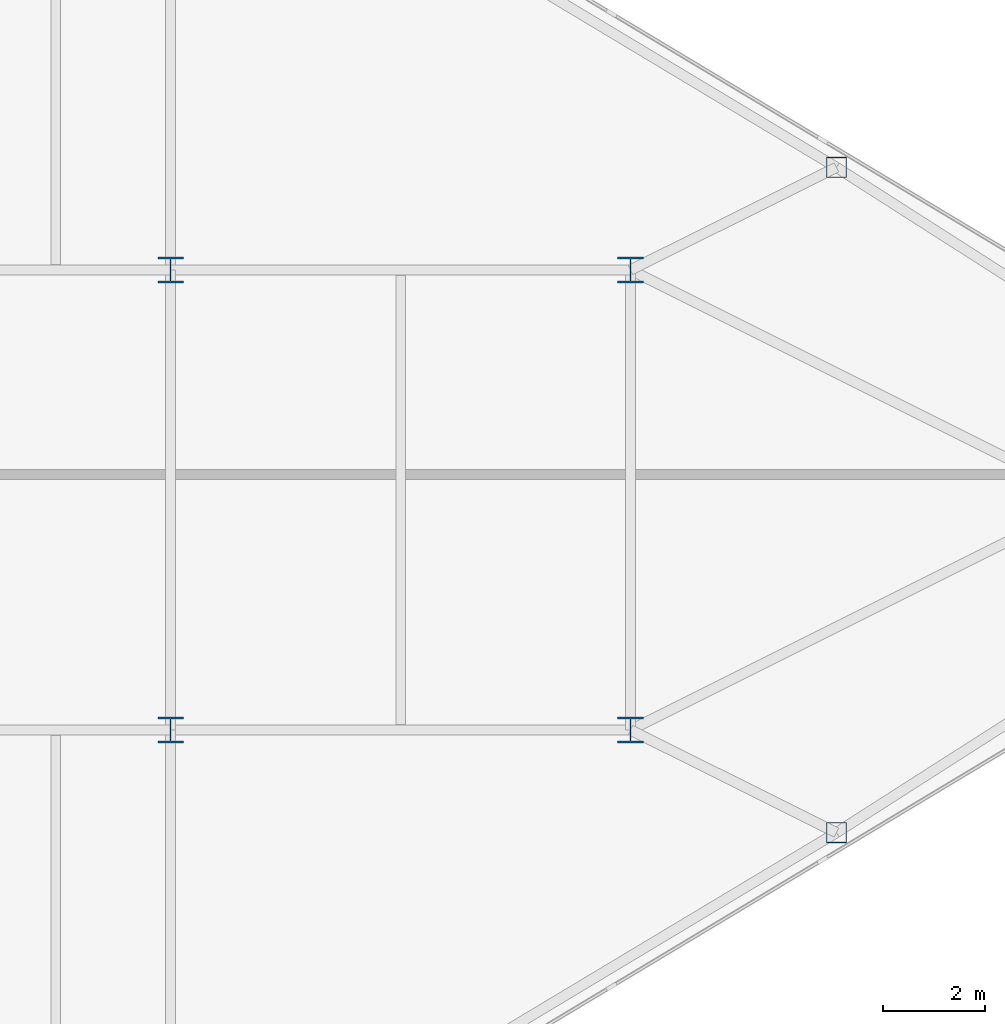
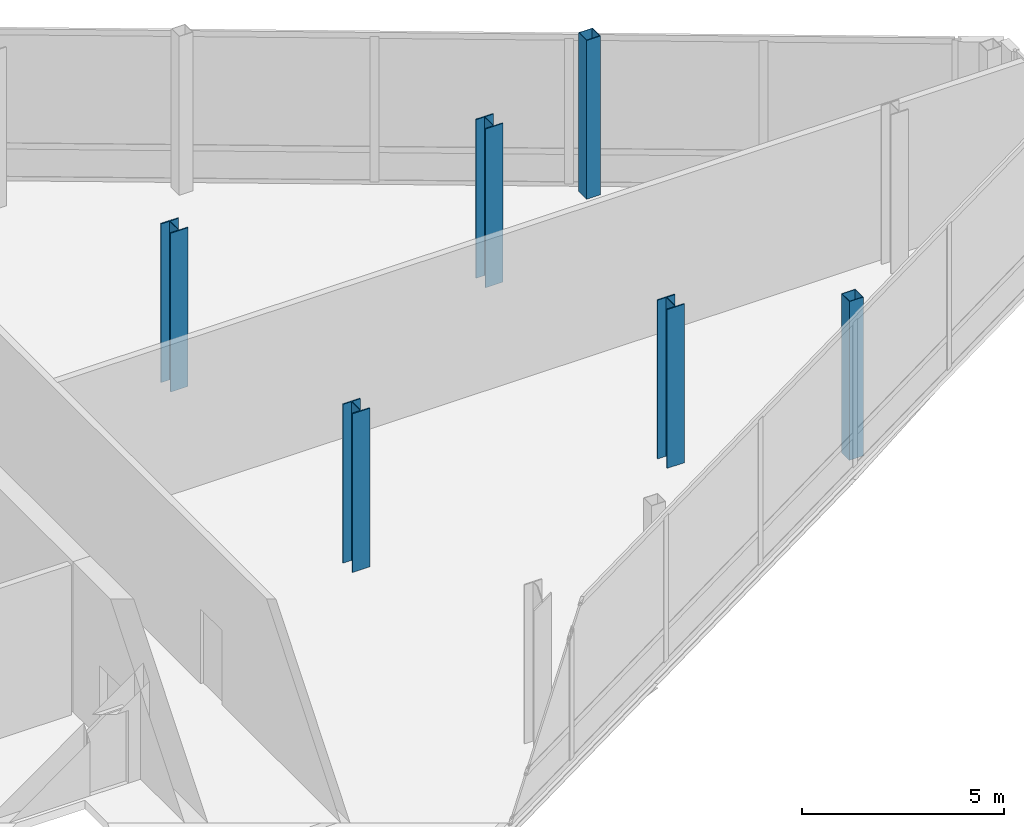
# One storey, part 5 of 29: 6 columns.
"""IFC4 building model written with IfcOpenShell, lengths in metres."""

import ifcopenshell
import ifcopenshell.guid

model = None  # the IFC model being written
_history = None  # IfcOwnerHistory: only IFC2X3 demands one
_inside = {}  # id of a spatial element -> (the spatial element, [elements in it])
_under = {}  # id of a project, library or spatial element -> (it, [spatial elements below it])
_declared = {}  # id of a project -> (the project, [libraries it declares])
_typed = {}  # id of a type object -> (the type object, [elements of that type])
_made_of = {}  # id of a material, layer set ... -> (it, [elements and type objects made of it])


def new_model(schema):
    """Start an empty IFC model of exactly this schema.

    Asked for "IFC4X3", IfcOpenShell would pick the latest addendum, in which some entities
    have other attributes; the version numbers below select the first issue.
    IFC2X3 requires an IfcOwnerHistory on every rooted entity: one is made here for all.
    """
    global model, _history
    if schema == "IFC4X3":
        model = ifcopenshell.file(schema_version=(4, 3, 0, 0))
    else:
        model = ifcopenshell.file(schema=schema)
    _inside.clear()
    _under.clear()
    _declared.clear()
    _typed.clear()
    _made_of.clear()
    _history = None
    if model.schema == "IFC2X3":
        org = make("IfcOrganization", Name="unknown")
        user = make(
            "IfcPersonAndOrganization",
            ThePerson=make("IfcPerson", FamilyName="unknown"),
            TheOrganization=org,
        )
        app = make(
            "IfcApplication",
            ApplicationDeveloper=org,
            Version="unknown",
            ApplicationFullName="unknown",
            ApplicationIdentifier="unknown",
        )
        _history = make(
            "IfcOwnerHistory",
            OwningUser=user,
            OwningApplication=app,
            ChangeAction="ADDED",
            CreationDate=0,
        )
    return model


def make(cls, **values):
    """One entity of the class cls with the attributes given. An attribute that is None is left unset."""
    return model.create_entity(
        cls, **{name: value for name, value in values.items() if value is not None}
    )


def rooted(cls, **values):
    """An entity with a GlobalId (a new one), such as an element, a storey or a relation."""
    return make(cls, GlobalId=ifcopenshell.guid.new(), OwnerHistory=_history, **values)


def si_unit(unit_type, name, prefix=None):
    """IfcSIUnit, for example si_unit("LENGTHUNIT", "METRE", prefix="MILLI")."""
    return make("IfcSIUnit", UnitType=unit_type, Prefix=prefix, Name=name)


def assignment(units):
    """IfcUnitAssignment: the units of a project."""
    return None if units is None else make("IfcUnitAssignment", Units=units)


def point(xyz):
    """IfcCartesianPoint."""
    return None if xyz is None else make("IfcCartesianPoint", Coordinates=xyz)


def direction(xyz):
    """IfcDirection."""
    return None if xyz is None else make("IfcDirection", DirectionRatios=xyz)


def frame(location, z_axis=None, x_axis=None):
    """IfcAxis2Placement3D, a coordinate frame: its origin and axes. An axis left out is left unset."""
    return make(
        "IfcAxis2Placement3D",
        Location=point(location),
        Axis=direction(z_axis),
        RefDirection=direction(x_axis),
    )


def frame_2d(location, x_axis=None):
    """IfcAxis2Placement2D, a coordinate frame in the plane: its origin and x axis."""
    return make(
        "IfcAxis2Placement2D", Location=point(location), RefDirection=direction(x_axis)
    )


def origin():
    """The frame at (0, 0, 0) with its axes left unset."""
    return frame((0.0, 0.0, 0.0))


def origin_2d():
    """The frame at (0, 0) in the plane with its x axis left unset."""
    return frame_2d((0.0, 0.0))


def place(relative_to, where):
    """IfcLocalPlacement: puts the frame where relative to a parent placement (None: the world)."""
    return make(
        "IfcLocalPlacement", PlacementRelTo=relative_to, RelativePlacement=where
    )


def context(
    kind, dimensions, precision=None, world=None, true_north=None, identifier=None
):
    """IfcGeometricRepresentationContext, for example the 3D "Model" context."""
    return make(
        "IfcGeometricRepresentationContext",
        ContextIdentifier=identifier,
        ContextType=kind,
        CoordinateSpaceDimension=dimensions,
        Precision=precision,
        WorldCoordinateSystem=world,
        TrueNorth=true_north,
    )


def subcontext(parent, identifier, kind, view, scale=None):
    """IfcGeometricRepresentationSubContext, for example "Body" below "Model"."""
    return make(
        "IfcGeometricRepresentationSubContext",
        ContextIdentifier=identifier,
        ContextType=kind,
        ParentContext=parent,
        TargetScale=scale,
        TargetView=view,
    )


def project(units=None, contexts=None):
    """IfcProject with its units and contexts."""
    return rooted(
        "IfcProject",
        Name="project",
        RepresentationContexts=contexts,
        UnitsInContext=assignment(units),
    )


def spatial(cls, under=None, at=None, **own):
    """A site, building, storey or space (cls), placed at a placement, below another one or the project."""
    s = rooted(cls, ObjectPlacement=at, **own)
    if under is not None:
        _under.setdefault(under.id(), (under, []))[1].append(s)
    return s


def profile(cls, at=None, kind="AREA", **sizes):
    """A parametric profile (cls). Its sizes go by their IFC names, for example OverallWidth=200.0."""
    return make(cls, ProfileType=kind, Position=at, **sizes)


def hollow_rectangle(**sizes):
    """IfcRectangleHollowProfileDef."""
    return profile("IfcRectangleHollowProfileDef", **sizes)


def i_section(**sizes):
    """IfcIShapeProfileDef."""
    return profile("IfcIShapeProfileDef", **sizes)


def extrude(swept, where, along, depth):
    """IfcExtrudedAreaSolid: the profile swept, set in the frame where, extruded along a direction by depth."""
    return make(
        "IfcExtrudedAreaSolid",
        SweptArea=swept,
        Position=where,
        ExtrudedDirection=direction(along),
        Depth=depth,
    )


def shape(context_of_items, identifier, shape_type, items):
    """IfcShapeRepresentation: the items that make up one representation, for example the "Body"."""
    return make(
        "IfcShapeRepresentation",
        ContextOfItems=context_of_items,
        RepresentationIdentifier=identifier,
        RepresentationType=shape_type,
        Items=items,
    )


def source(mapping_origin, context_of_items, identifier, shape_type, items):
    """IfcRepresentationMap: a shape defined once, which mapped items show again and again."""
    return make(
        "IfcRepresentationMap",
        MappingOrigin=mapping_origin,
        MappedRepresentation=shape(context_of_items, identifier, shape_type, items),
    )


def transform(
    local_origin,
    x_axis=None,
    y_axis=None,
    z_axis=None,
    scale=None,
    scale2=None,
    scale3=None,
    uniform=True,
):
    """IfcCartesianTransformationOperator3D, or its non-uniform kind. x_axis, y_axis, z_axis: its Axis1, 2, 3."""
    if uniform:
        return make(
            "IfcCartesianTransformationOperator3D",
            Axis1=direction(x_axis),
            Axis2=direction(y_axis),
            LocalOrigin=point(local_origin),
            Scale=scale,
            Axis3=direction(z_axis),
        )
    return make(
        "IfcCartesianTransformationOperator3DnonUniform",
        Axis1=direction(x_axis),
        Axis2=direction(y_axis),
        LocalOrigin=point(local_origin),
        Scale=scale,
        Axis3=direction(z_axis),
        Scale2=scale2,
        Scale3=scale3,
    )


def mapped(mapping_source, mapping_target):
    """IfcMappedItem: shows the shape of a source again, moved by a transform."""
    return make(
        "IfcMappedItem", MappingSource=mapping_source, MappingTarget=mapping_target
    )


def material(Name=None, Category=None):
    """IfcMaterial."""
    return make("IfcMaterial", Name=Name, Category=Category)


def material_profile(
    of_material, cross_section, Name=None, Category=None, Priority=None
):
    """IfcMaterialProfile: a cross section and its material."""
    return make(
        "IfcMaterialProfile",
        Name=Name,
        Material=of_material,
        Profile=cross_section,
        Priority=Priority,
        Category=Category,
    )


def profile_set(profiles, Name=None, composite=None):
    """IfcMaterialProfileSet."""
    return make(
        "IfcMaterialProfileSet",
        Name=Name,
        MaterialProfiles=profiles,
        CompositeProfile=composite,
    )


def made_of(thing, what):
    """Note that an element or type object is made of a material, layer set ...; save() writes the relation."""
    if what is not None:
        _made_of.setdefault(what.id(), (what, []))[1].append(thing)
    return thing


def type_object(cls, material=None, **own):
    """A type object (cls), such as IfcWallType, which elements share."""
    return made_of(rooted(cls, **own), material)


def type_shapes(of_type, sources):
    """Give a type object the sources (RepresentationMaps) that its elements show as mapped items."""
    of_type.RepresentationMaps = sources


def element(
    cls,
    number,
    at=None,
    inside=None,
    cuts=None,
    type_object=None,
    material=None,
    context=None,
    identifier="Body",
    shape_type=None,
    held_by="IfcProductDefinitionShape",
    body=None,
    shapes=None,
    **own,
):
    """One element of the class cls, such as IfcWall. Its Tag is "e" and its number.

    at: its placement. inside: the storey or other place that contains it. cuts: it is an
    opening in that element (IfcRelVoidsElement). A single representation is given by context,
    identifier, shape_type and body (its items); several are given by shapes. held_by: the class
    of the entity that holds the representations. save() writes the other relations.
    """
    e = rooted(cls, Tag="e%d" % number, ObjectPlacement=at, **own)
    if body is not None:
        shapes = [shape(context, identifier, shape_type, body)]
    if shapes is not None:
        e.Representation = make(held_by, Representations=shapes)
    if inside is not None:
        _inside.setdefault(inside.id(), (inside, []))[1].append(e)
    if cuts is not None:
        rooted(
            "IfcRelVoidsElement", RelatingBuildingElement=cuts, RelatedOpeningElement=e
        )
    if type_object is not None:
        _typed.setdefault(type_object.id(), (type_object, []))[1].append(e)
    return made_of(e, material)


def aggregate(whole, parts):
    """IfcRelAggregates: a whole, such as a stair, and the parts it consists of."""
    return rooted("IfcRelAggregates", RelatingObject=whole, RelatedObjects=parts)


def save(model, path):
    """Write the relations noted so far, then the file.

    IfcRelAggregates (storeys below a building ...), IfcRelContainedInSpatialStructure (elements
    in a storey), IfcRelDefinesByType, IfcRelAssociatesMaterial and IfcRelDeclares: one each for
    every whole, place, type object, material and project.
    """
    for whole, parts in _under.values():
        aggregate(whole, parts)
    for where, things in _inside.values():
        rooted(
            "IfcRelContainedInSpatialStructure",
            RelatedElements=things,
            RelatingStructure=where,
        )
    for kind, things in _typed.values():
        rooted("IfcRelDefinesByType", RelatedObjects=things, RelatingType=kind)
    for what, things in _made_of.values():
        rooted("IfcRelAssociatesMaterial", RelatedObjects=things, RelatingMaterial=what)
    for by, libraries in _declared.values():
        rooted("IfcRelDeclares", RelatingContext=by, RelatedDefinitions=libraries)
    model.write(path)


model = new_model("IFC4")

# Units and contexts
model_context = context("Model", 3, precision=1e-05, world=origin(), true_north=direction((0.0, 1.0)))
body_context = subcontext(model_context, "Body", "Model", "MODEL_VIEW")
ifc_project = project(units=[si_unit("LENGTHUNIT", "METRE"), si_unit("AREAUNIT", "SQUARE_METRE"), si_unit("VOLUMEUNIT", "CUBIC_METRE"), si_unit("PLANEANGLEUNIT", "RADIAN"), si_unit("MASSUNIT", "GRAM", prefix="KILO")], contexts=[model_context])

# Site, building, storey
site_placement = place(None, origin())
site = spatial("IfcSite", under=ifc_project, at=site_placement, CompositionType="ELEMENT")
building_placement = place(site_placement, origin())
building = spatial("IfcBuilding", under=site, at=building_placement, Name="Seokmaru Belvedere", CompositionType="ELEMENT")
storey_placement = place(building_placement, frame((0.0, 0.0, 229.800048828125)))
storey = spatial("IfcBuildingStorey", under=building, at=storey_placement, Name="L61", CompositionType="ELEMENT", Elevation=229.800048828125)

# Columns
ifc_material = material(Name="Steel SM355 (355 MPa)", Category="steel")
ifc_material_profile_1 = material_profile(ifc_material, i_section(OverallWidth=0.5, OverallDepth=0.5, WebThickness=0.02001953125, FlangeThickness=0.031982421875, at=origin_2d()), Name="H-500x500x20x32")
ifc_profile_set_1 = profile_set([ifc_material_profile_1], Name="Steel SM355 (355 MPa)")
column_type_1 = type_object("IfcColumnType", Name="High-Rise Interior Column H-500", PredefinedType="COLUMN", material=ifc_profile_set_1)
shared_shape_1 = source(origin(), body_context, "Body", "SweptSolid", [
    extrude(i_section(OverallWidth=0.5, OverallDepth=0.5, WebThickness=0.02001953125, FlangeThickness=0.031982421875, at=origin_2d()), origin(), (0.0, 0.0, 1.0), 4.800048828125),
])
type_shapes(column_type_1, [shared_shape_1])
for number, where, z_axis, x_axis, name in (
    (1, (45.5, -4.5, 0.0), (0.0, 0.0, 1.0), (1.0, 0.0, 0.0), "L61 Column EG5_2"),
    (2, (45.5, 4.5, 0.0), (0.0, 0.0, 1.0), (1.0, 0.0, 0.0), "L61 Column EG5_3"),
    (3, (54.5, -4.5, 0.0), (0.0, 0.0, 1.0), (1.0, 0.0, 0.0), "L61 Column EG4P_1"),
    (4, (54.5, 4.5, 0.0), (0.0, 0.0, 1.0), (1.0, 0.0, 0.0), "L61 Column EG4P_2"),
):
    element("IfcColumn", number, at=place(storey_placement, frame(where, z_axis=z_axis, x_axis=x_axis)), inside=storey, type_object=column_type_1, Name=name, PredefinedType="COLUMN", context=body_context, shape_type="MappedRepresentation", body=[
        mapped(shared_shape_1, transform((0.0, 0.0, 0.0), scale=1.0)),
    ])
ifc_material_profile_2 = material_profile(ifc_material, hollow_rectangle(XDim=0.39990234375, YDim=0.39990234375, WallThickness=0.01611328125, at=origin_2d()), Name="HSS-400x400x16")
ifc_profile_set_2 = profile_set([ifc_material_profile_2], Name="Steel SM355 (355 MPa)")
column_type_2 = type_object("IfcColumnType", Name="Perimeter Facet Column HSS-400", PredefinedType="COLUMN", material=ifc_profile_set_2)
shared_shape_2 = source(origin(), body_context, "Body", "SweptSolid", [
    extrude(hollow_rectangle(XDim=0.39990234375, YDim=0.39990234375, WallThickness=0.01611328125, at=origin_2d()), origin(), (0.0, 0.0, 1.0), 4.800048828125),
])
type_shapes(column_type_2, [shared_shape_2])
for number, where, z_axis, x_axis, name in (
    (5, (58.530029296875, -6.5087890625, 0.0), (0.0, 0.0, 1.0), (1.0, 0.0, 0.0), "L61 Column EFLK_S3"),
    (6, (58.530029296875, 6.5087890625, 0.0), (0.0, 0.0, 1.0), (1.0, 0.0, 0.0), "L61 Column EFLK_N3"),
):
    element("IfcColumn", number, at=place(storey_placement, frame(where, z_axis=z_axis, x_axis=x_axis)), inside=storey, type_object=column_type_2, Name=name, PredefinedType="COLUMN", context=body_context, shape_type="MappedRepresentation", body=[
        mapped(shared_shape_2, transform((0.0, 0.0, 0.0), scale=1.0)),
    ])

save(model, "model.ifc")
